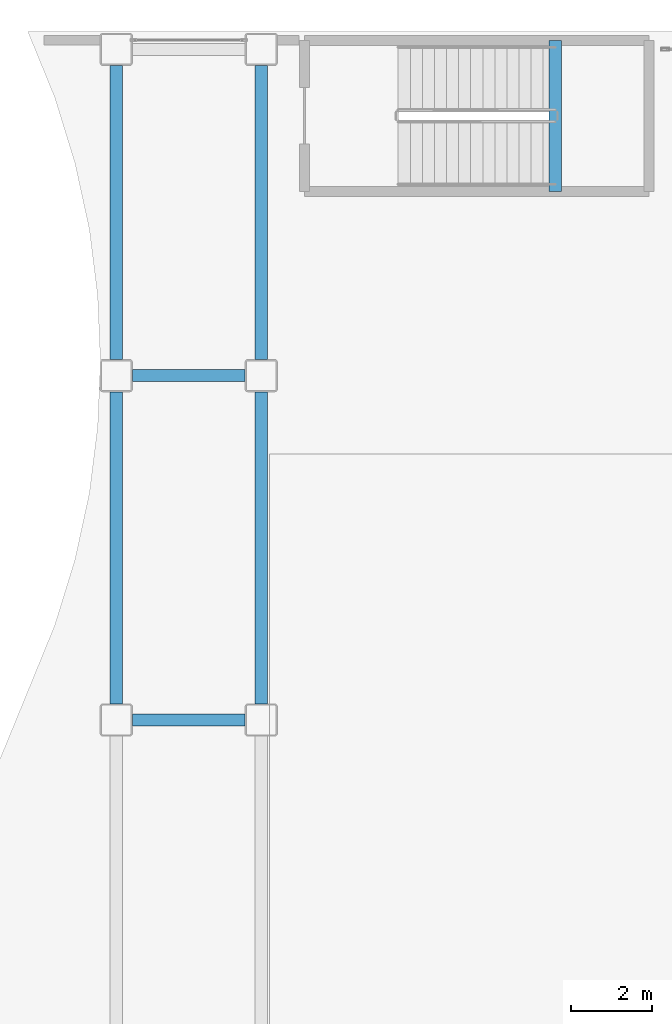
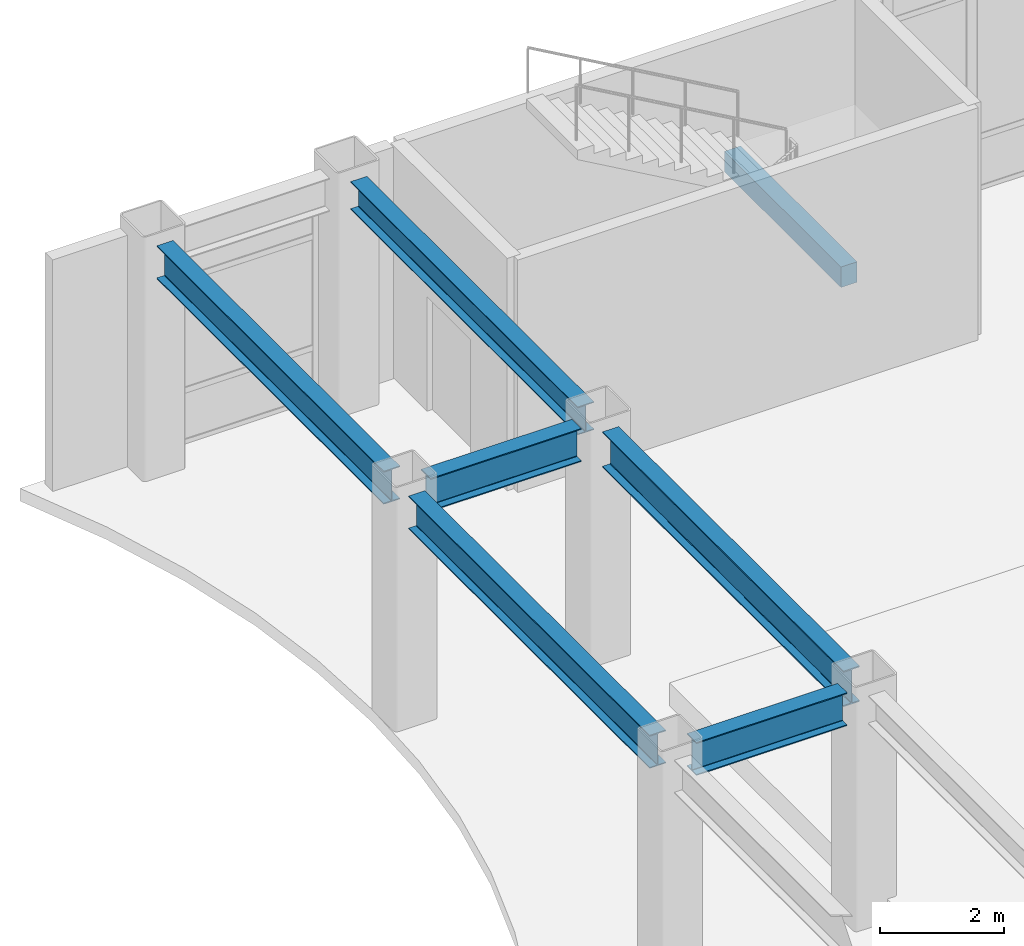
# One storey, part 66 of 154: 7 beams.
"""IFC4 building model written with IfcOpenShell, lengths in metres."""

from ifc_helpers import new_model, si_unit, direction, frame, origin, origin_2d, place, context, subcontext, project, spatial, rectangle, i_section, extrude, material, material_profile, profile_set, type_object, element, save


model = new_model("IFC4")

# Units and contexts
model_context = context("Model", 3, precision=1e-05, world=origin(), true_north=direction((0.0, 1.0)))
body_context = subcontext(model_context, "Body", "Model", "MODEL_VIEW")
ifc_project = project(units=[si_unit("LENGTHUNIT", "METRE"), si_unit("AREAUNIT", "SQUARE_METRE"), si_unit("VOLUMEUNIT", "CUBIC_METRE"), si_unit("PLANEANGLEUNIT", "RADIAN"), si_unit("MASSUNIT", "GRAM", prefix="KILO")], contexts=[model_context])

# Site, building, storey
site_placement = place(None, origin())
site = spatial("IfcSite", under=ifc_project, at=site_placement, CompositionType="ELEMENT")
building_placement = place(site_placement, origin())
building = spatial("IfcBuilding", under=site, at=building_placement, Name="Kazehara Bluff Congress Hotel", CompositionType="ELEMENT")
storey_placement = place(building_placement, frame((0.0, 0.0, 10.199951171875)))
storey = spatial("IfcBuildingStorey", under=building, at=storey_placement, Name="L02", CompositionType="ELEMENT", Elevation=10.199951171875)

# Beams
ifc_material_1 = material(Name="Steel SN490B", Category="steel")
ifc_material_profile_1 = material_profile(ifc_material_1, i_section(OverallWidth=0.300048828125, OverallDepth=0.64990234375, WebThickness=0.011962890625, FlangeThickness=0.02001953125, FilletRadius=0.012939453125, at=origin_2d()))
ifc_profile_set_1 = profile_set([ifc_material_profile_1], Name="Steel SN490B")
beam_type_1 = type_object("IfcBeamType", Name="TP-G-03", PredefinedType="BEAM", material=ifc_profile_set_1)
beam_1_placement = place(storey_placement, frame((4.800048828125, 97.300048828125, 4.235107421875), z_axis=(0.0, 1.0, 0.0), x_axis=(-1.0, 0.0, 0.0)))
element("IfcBeam", 1, at=beam_1_placement, inside=storey, type_object=beam_type_1, Name="L02 girder G-03 7", PredefinedType="BEAM", context=body_context, shape_type="SweptSolid", body=[
    extrude(i_section(OverallWidth=0.300048828125, OverallDepth=0.64990234375, WebThickness=0.011962890625, FlangeThickness=0.02001953125, FilletRadius=0.012939453125, at=origin_2d()), origin(), (0.0, 0.0, 1.0), 7.75),
])
beam_2_placement = place(storey_placement, frame((4.800048828125, 105.85009765625, 4.235107421875), z_axis=(0.0, 1.0, 0.0), x_axis=(-1.0, 0.0, 0.0)))
element("IfcBeam", 2, at=beam_2_placement, inside=storey, type_object=beam_type_1, Name="L02 girder G-03 8", PredefinedType="BEAM", context=body_context, shape_type="SweptSolid", body=[
    extrude(i_section(OverallWidth=0.300048828125, OverallDepth=0.64990234375, WebThickness=0.011962890625, FlangeThickness=0.02001953125, FilletRadius=0.012939453125, at=origin_2d()), origin(), (0.0, 0.0, 1.0), 7.2998046875),
])
for number, where, z_axis, x_axis, name in (
    (3, (5.199951171875, 96.89990234375, 4.235107421875), (1.0, 0.0, 0.0), (0.0, 1.0, 0.0), "L02 girder G-03 36"),
    (4, (5.199951171875, 105.449951171875, 4.235107421875), (1.0, 0.0, 0.0), (0.0, 1.0, 0.0), "L02 girder G-03 37"),
):
    element("IfcBeam", number, at=place(storey_placement, frame(where, z_axis=z_axis, x_axis=x_axis)), inside=storey, type_object=beam_type_1, Name=name, PredefinedType="BEAM", context=body_context, shape_type="SweptSolid", body=[
        extrude(i_section(OverallWidth=0.300048828125, OverallDepth=0.64990234375, WebThickness=0.011962890625, FlangeThickness=0.02001953125, FilletRadius=0.012939453125, at=origin_2d()), origin(), (0.0, 0.0, 1.0), 2.800048828125),
    ])
ifc_material_2 = material(Name="Concrete C40/50", Category="concrete")
ifc_material_profile_2 = material_profile(ifc_material_2, rectangle(XDim=0.300048828125, YDim=0.39990234375, at=origin_2d()))
ifc_profile_set_2 = profile_set([ifc_material_profile_2], Name="Concrete C40/50")
beam_type_2 = type_object("IfcBeamType", Name="TP-LN-02", PredefinedType="LINTEL", material=ifc_profile_set_2)
beam_3_placement = place(storey_placement, frame((15.699951171875, 110.02490234375, 2.02001953125), z_axis=(0.0, 1.0, 0.0), x_axis=(-1.0, 0.0, 0.0)))
element("IfcBeam", 5, at=beam_3_placement, inside=storey, type_object=beam_type_2, Name="L02 ST-01 half-landing support beam 1", PredefinedType="LINTEL", context=body_context, shape_type="SweptSolid", body=[
    extrude(rectangle(XDim=0.300048828125, YDim=0.39990234375, at=origin_2d()), origin(), (0.0, 0.0, 1.0), 3.75),
])
ifc_material_3 = material(Name="Steel SN490B", Category="steel")
ifc_material_profile_3 = material_profile(ifc_material_3, i_section(OverallWidth=0.300048828125, OverallDepth=0.550048828125, WebThickness=0.010986328125, FlangeThickness=0.01806640625, FilletRadius=0.012939453125, at=origin_2d()))
ifc_profile_set_3 = profile_set([ifc_material_profile_3], Name="Steel SN490B")
beam_type_3 = type_object("IfcBeamType", Name="TP-SP-01", PredefinedType="SPANDREL", material=ifc_profile_set_3)
beam_4_placement = place(storey_placement, frame((8.39990234375, 105.85009765625, 4.28515625), z_axis=(0.0, 1.0, 0.0), x_axis=(-1.0, 0.0, 0.0)))
element("IfcBeam", 6, at=beam_4_placement, inside=storey, type_object=beam_type_3, Name="L02 girder SP-01 16", PredefinedType="SPANDREL", context=body_context, shape_type="SweptSolid", body=[
    extrude(i_section(OverallWidth=0.300048828125, OverallDepth=0.550048828125, WebThickness=0.010986328125, FlangeThickness=0.01806640625, FilletRadius=0.012939453125, at=origin_2d()), origin(), (0.0, 0.0, 1.0), 7.2998046875),
])
ifc_material_4 = material(Name="Steel SN490B", Category="steel")
ifc_material_profile_4 = material_profile(ifc_material_4, i_section(OverallWidth=0.300048828125, OverallDepth=0.699951171875, WebThickness=0.012939453125, FlangeThickness=0.02392578125, FilletRadius=0.01806640625, at=origin_2d()))
ifc_profile_set_4 = profile_set([ifc_material_profile_4], Name="Steel SN490B")
beam_type_4 = type_object("IfcBeamType", Name="TP-SP-03", PredefinedType="SPANDREL", material=ifc_profile_set_4)
beam_5_placement = place(storey_placement, frame((8.39990234375, 97.300048828125, 4.2099609375), z_axis=(0.0, 1.0, 0.0), x_axis=(-1.0, 0.0, 0.0)))
element("IfcBeam", 7, at=beam_5_placement, inside=storey, type_object=beam_type_4, Name="L02 girder SP-03 15", PredefinedType="SPANDREL", context=body_context, shape_type="SweptSolid", body=[
    extrude(i_section(OverallWidth=0.300048828125, OverallDepth=0.699951171875, WebThickness=0.012939453125, FlangeThickness=0.02392578125, FilletRadius=0.01806640625, at=origin_2d()), origin(), (0.0, 0.0, 1.0), 7.75),
])

save(model, "model.ifc")
